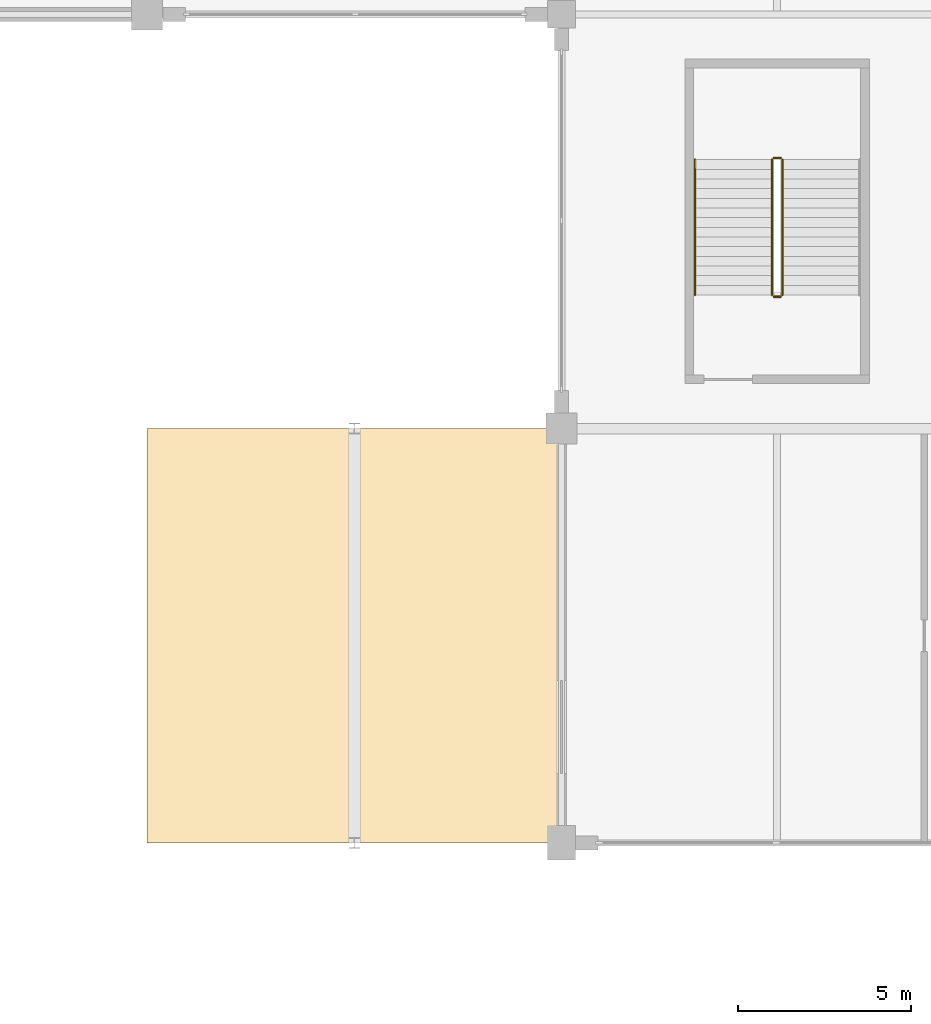
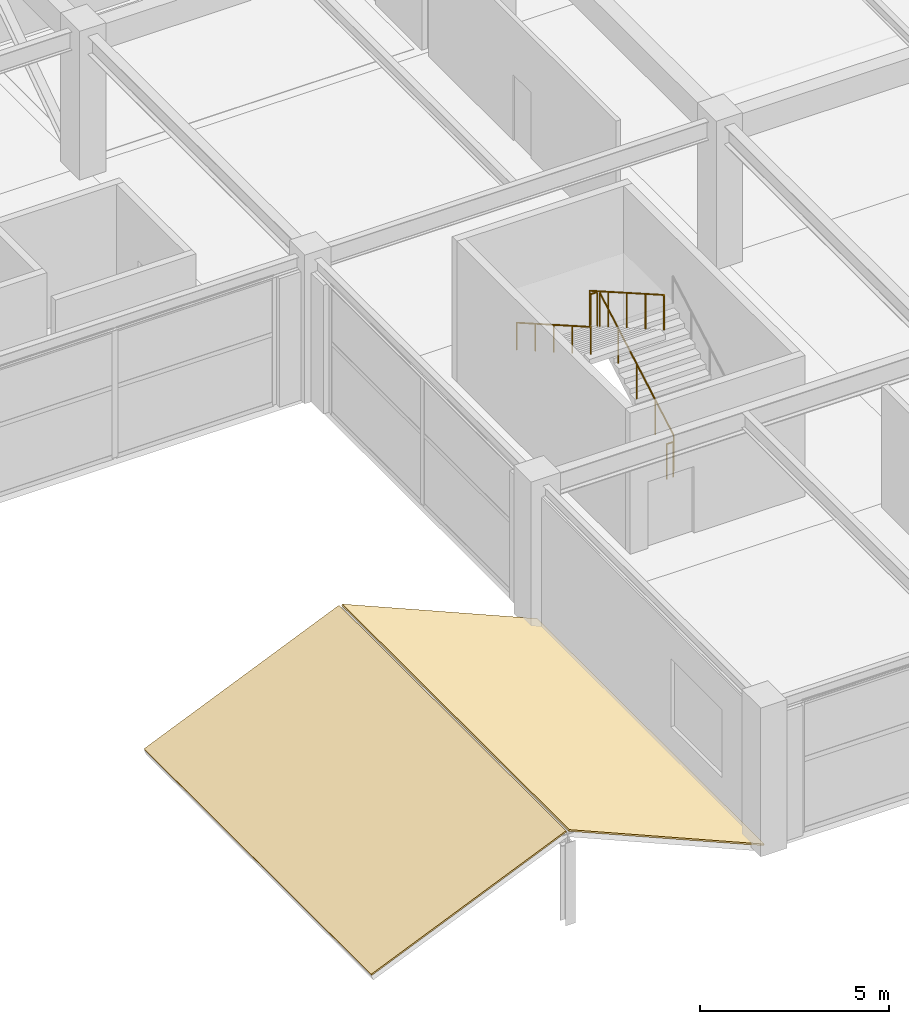
# One storey, part 97 of 134: 5 railings, 2 coverings.
"""IFC4 building model written with IfcOpenShell, lengths in metres."""

from ifc_helpers import new_model, si_unit, direction, frame, origin, origin_2d, place, context, subcontext, project, spatial, polyline, circle, outline, extrude, material, layer, layer_set, type_object, element, save


model = new_model("IFC4")

# Units and contexts
model_context = context("Model", 3, precision=1e-05, world=origin(), true_north=direction((0.0, 1.0)))
body_context = subcontext(model_context, "Body", "Model", "MODEL_VIEW")
ifc_project = project(units=[si_unit("LENGTHUNIT", "METRE"), si_unit("AREAUNIT", "SQUARE_METRE"), si_unit("VOLUMEUNIT", "CUBIC_METRE"), si_unit("PLANEANGLEUNIT", "RADIAN"), si_unit("MASSUNIT", "GRAM", prefix="KILO")], contexts=[model_context])

# Site, building, storey
site_placement = place(None, origin())
site = spatial("IfcSite", under=ifc_project, at=site_placement, CompositionType="ELEMENT")
building_placement = place(site_placement, origin())
building = spatial("IfcBuilding", under=site, at=building_placement, Name="Kazenohara Klinker Stadium", CompositionType="ELEMENT")
storey_placement = place(building_placement, frame((0.0, 0.0, 5.39990234375)))
storey = spatial("IfcBuildingStorey", under=building, at=storey_placement, Name="L01", CompositionType="ELEMENT", Elevation=5.39990234375)

# Coverings
ifc_material_1 = material(Name="Insulated standing-seam copper roofing", Category="metal")
ifc_layer_1 = layer(ifc_material_1, 0.050048828125)
ifc_layer_set_1 = layer_set([ifc_layer_1], Name="Insulated standing-seam copper roofing")
covering_type = type_object("IfcCoveringType", Name="COV-ROOF-01", PredefinedType="ROOFING", material=ifc_layer_set_1)
for number, where, z_axis, x_axis, name in (
    (1, (12.0, 12.0, -0.02978515625), (-0.393896539344, 0.0, 0.919154783642), (0.919154783642, 0.0, 0.393896539344), "Standing-seam copper stepped wing roofing L01-A 2/B"),
    (2, (18.050048828125, 12.0, 2.52001953125), (0.393896539344, 0.0, 0.919154783642), (0.919154783642, 0.0, -0.393896539344), "Standing-seam copper stepped wing roofing L01-B 2/B"),
):
    element("IfcCovering", number, at=place(storey_placement, frame(where, z_axis=z_axis, x_axis=x_axis)), inside=storey, type_object=covering_type, Name=name, PredefinedType="ROOFING", context=body_context, shape_type="SweptSolid", body=[
        extrude(outline(polyline([(0.0, 0.0), (6.473285324477336, 0.0), (6.473285324477336, 12.0), (0.0, 12.0), (0.0, 0.0)])), origin(), (0.0, 0.0, -1.0), 0.050048828125),
    ])

# Railings
ifc_material_2 = material(Name="Brushed stainless steel 304 handrail", Category="steel")
ifc_layer_2 = layer(ifc_material_2, 0.050048828125)
ifc_layer_set_2 = layer_set([ifc_layer_2], Name="Brushed stainless steel 304 handrail")
railing_type_1 = type_object("IfcRailingType", Name="RL-HND-900", PredefinedType="HANDRAIL", material=ifc_layer_set_2)
railing_1_placement = place(storey_placement, frame((27.8701171875, 31.7900390625, 2.56005859375)))
element("IfcRailing", 3, at=railing_1_placement, inside=storey, type_object=railing_type_1, Name="L01 ST07 stair handrail 2", PredefinedType="HANDRAIL", context=body_context, shape_type="SweptSolid", body=[
    extrude(circle(Radius=0.02392578125, at=origin_2d()), frame((0.0, 0.0, 0.8759765625), z_axis=(0.0, -0.868239814368, 0.496144761885), x_axis=(1.0, 0.0, 0.0)), (0.0, 0.0, 1.0), 4.514892578125),
    extrude(circle(Radius=0.02099609375, at=origin_2d()), origin(), (0.0, 0.0, 1.0), 0.851806640625),
    extrude(circle(Radius=0.02099609375, at=origin_2d()), frame((0.0, -0.97998046875, 0.56005859375)), (0.0, 0.0, 1.0), 0.851806640625),
    extrude(circle(Radius=0.02099609375, at=origin_2d()), frame((0.0, -1.9599609375, 1.1201171875)), (0.0, 0.0, 1.0), 0.851806640625),
    extrude(circle(Radius=0.02099609375, at=origin_2d()), frame((0.0, -2.93994140625, 1.679931640625)), (0.0, 0.0, 1.0), 0.851806640625),
    extrude(circle(Radius=0.02099609375, at=origin_2d()), frame((0.0, -3.919921875, 2.239990234375)), (0.0, 0.0, 1.0), 0.851806640625),
])
ifc_material_3 = material(Name="Painted steel stairwell guardrail", Category="steel")
ifc_layer_3 = layer(ifc_material_3, 0.06005859375)
ifc_layer_set_3 = layer_set([ifc_layer_3], Name="Painted steel stairwell guardrail")
railing_type_2 = type_object("IfcRailingType", Name="RL-STG-1120", PredefinedType="GUARDRAIL", material=ifc_layer_set_3)
railing_2_placement = place(storey_placement, frame((30.39990234375, 27.8701171875, 0.16015625)))
element("IfcRailing", 4, at=railing_2_placement, inside=storey, type_object=railing_type_2, Name="L01 ST07 stair guard 1", PredefinedType="GUARDRAIL", context=body_context, shape_type="SweptSolid", body=[
    extrude(circle(Radius=0.02392578125, at=origin_2d()), frame((0.0, 0.0, 1.1259765625), z_axis=(0.0, 0.868239814368, 0.496144761885), x_axis=(-1.0, 0.0, 0.0)), (0.0, 0.0, 1.0), 4.514892578125),
    extrude(circle(Radius=0.02099609375, at=origin_2d()), origin(), (0.0, 0.0, 1.0), 1.101806640625),
    extrude(circle(Radius=0.02099609375, at=origin_2d()), frame((0.0, 0.97998046875, 0.56005859375)), (0.0, 0.0, 1.0), 1.101806640625),
    extrude(circle(Radius=0.02099609375, at=origin_2d()), frame((0.0, 1.9599609375, 1.1201171875)), (0.0, 0.0, 1.0), 1.101806640625),
    extrude(circle(Radius=0.02099609375, at=origin_2d()), frame((0.0, 2.93994140625, 1.679931640625)), (0.0, 0.0, 1.0), 1.101806640625),
    extrude(circle(Radius=0.02099609375, at=origin_2d()), frame((0.0, 3.919921875, 2.239990234375)), (0.0, 0.0, 1.0), 1.101806640625),
])
railing_3_placement = place(storey_placement, frame((30.35009765625, 31.840087890625, 2.400146484375)))
element("IfcRailing", 5, at=railing_3_placement, inside=storey, type_object=railing_type_2, Name="L01 ST07 stair guard 2", PredefinedType="GUARDRAIL", context=body_context, shape_type="SweptSolid", body=[
    extrude(circle(Radius=0.02392578125, at=origin_2d()), frame((0.0, 0.0, 1.1259765625), z_axis=(-1.0, 0.0, 0.0), x_axis=(0.0, -1.0, 0.0)), (0.0, 0.0, 1.0), 0.2001953125),
    extrude(circle(Radius=0.02099609375, at=origin_2d()), origin(), (0.0, 0.0, 1.0), 1.101806640625),
    extrude(circle(Radius=0.02099609375, at=origin_2d()), frame((-0.2001953125, 0.0, 0.0)), (0.0, 0.0, 1.0), 1.101806640625),
])
railing_4_placement = place(storey_placement, frame((30.10009765625, 31.7900390625, 2.56005859375)))
element("IfcRailing", 6, at=railing_4_placement, inside=storey, type_object=railing_type_2, Name="L01 ST07 stair guard 3", PredefinedType="GUARDRAIL", context=body_context, shape_type="SweptSolid", body=[
    extrude(circle(Radius=0.02392578125, at=origin_2d()), frame((0.0, 0.0, 1.1259765625), z_axis=(0.0, -0.868239814368, 0.496144761885), x_axis=(1.0, 0.0, 0.0)), (0.0, 0.0, 1.0), 4.514892578125),
    extrude(circle(Radius=0.02099609375, at=origin_2d()), origin(), (0.0, 0.0, 1.0), 1.101806640625),
    extrude(circle(Radius=0.02099609375, at=origin_2d()), frame((0.0, -0.97998046875, 0.56005859375)), (0.0, 0.0, 1.0), 1.101806640625),
    extrude(circle(Radius=0.02099609375, at=origin_2d()), frame((0.0, -1.9599609375, 1.1201171875)), (0.0, 0.0, 1.0), 1.101806640625),
    extrude(circle(Radius=0.02099609375, at=origin_2d()), frame((0.0, -2.93994140625, 1.679931640625)), (0.0, 0.0, 1.0), 1.101806640625),
    extrude(circle(Radius=0.02099609375, at=origin_2d()), frame((0.0, -3.919921875, 2.239990234375)), (0.0, 0.0, 1.0), 1.101806640625),
])
railing_5_placement = place(storey_placement, frame((30.35009765625, 27.820068359375, 0.0)))
element("IfcRailing", 7, at=railing_5_placement, inside=storey, type_object=railing_type_2, Name="L01 ST07 stair guard 4", PredefinedType="GUARDRAIL", context=body_context, shape_type="SweptSolid", body=[
    extrude(circle(Radius=0.02392578125, at=origin_2d()), frame((0.0, 0.0, 1.1259765625), z_axis=(-1.0, 0.0, 0.0), x_axis=(0.0, -1.0, 0.0)), (0.0, 0.0, 1.0), 0.2001953125),
    extrude(circle(Radius=0.02099609375, at=origin_2d()), origin(), (0.0, 0.0, 1.0), 1.101806640625),
    extrude(circle(Radius=0.02099609375, at=origin_2d()), frame((-0.2001953125, 0.0, 0.0)), (0.0, 0.0, 1.0), 1.101806640625),
])

save(model, "model.ifc")
